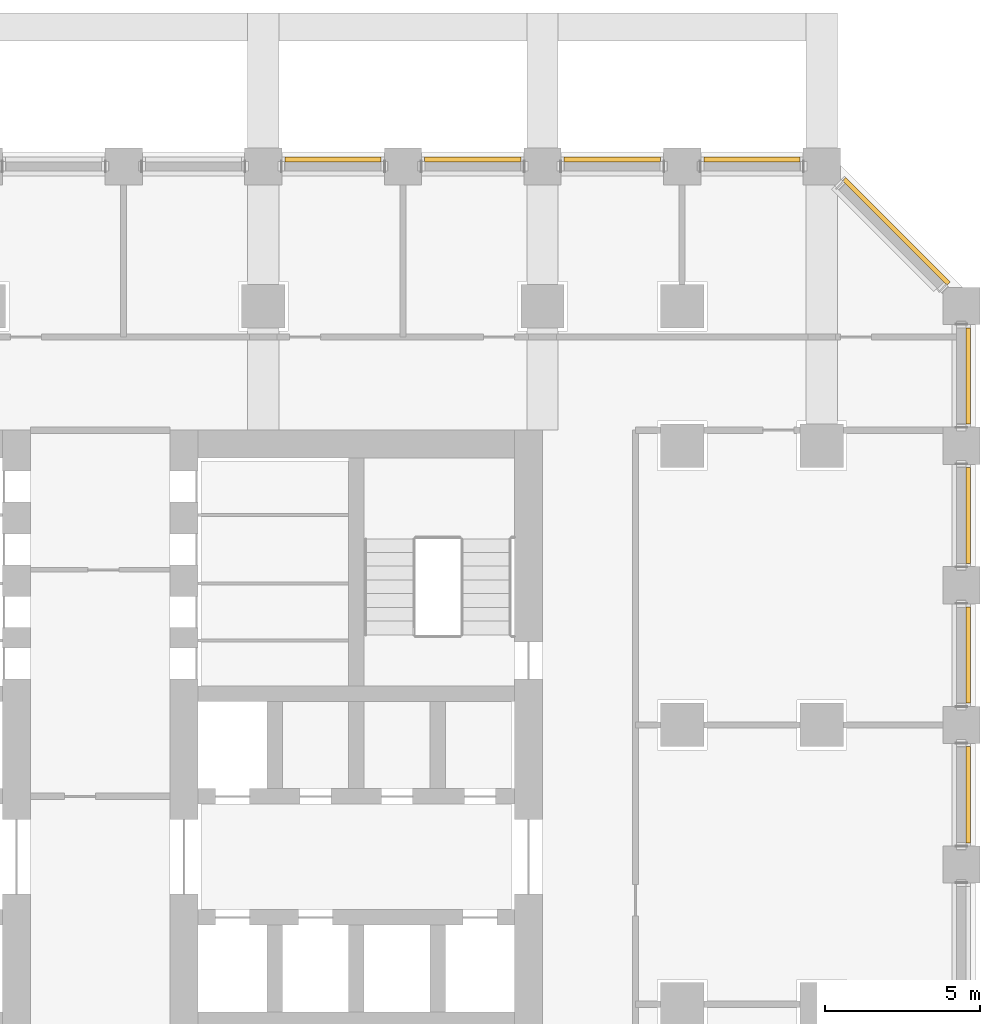
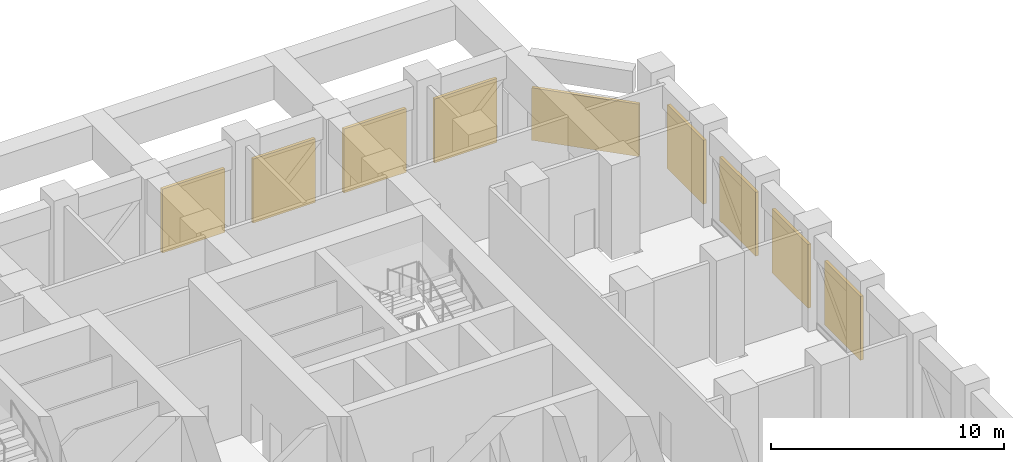
# One storey, part 19 of 20: 9 shading devices.
"""IFC4 building model written with IfcOpenShell, lengths in metres."""

from ifc_helpers import new_model, si_unit, direction, frame, origin, origin_2d, place, context, subcontext, project, spatial, rectangle, extrude, material, layer, layer_set, type_object, element, save


model = new_model("IFC4")

# Units and contexts
model_context = context("Model", 3, precision=1e-05, world=origin(), true_north=direction((0.0, 1.0)))
body_context = subcontext(model_context, "Body", "Model", "MODEL_VIEW")
ifc_project = project(units=[si_unit("LENGTHUNIT", "METRE"), si_unit("AREAUNIT", "SQUARE_METRE"), si_unit("VOLUMEUNIT", "CUBIC_METRE"), si_unit("PLANEANGLEUNIT", "RADIAN"), si_unit("MASSUNIT", "GRAM", prefix="KILO")], contexts=[model_context])

# Site, building, storey
site_placement = place(None, origin())
site = spatial("IfcSite", under=ifc_project, at=site_placement, CompositionType="ELEMENT")
building_placement = place(site_placement, origin())
building = spatial("IfcBuilding", under=site, at=building_placement, Name="Corbel Stack Research Tower", CompositionType="ELEMENT")
storey_placement = place(building_placement, frame((0.0, 0.0, 76.60009765625)))
storey = spatial("IfcBuildingStorey", under=building, at=storey_placement, Name="L17", CompositionType="ELEMENT", Elevation=76.60009765625)

# Shading devices
ifc_material = material(Name="Aluminium louvre", Category="aluminium")
ifc_layer = layer(ifc_material, 0.14990234375)
ifc_layer_set = layer_set([ifc_layer], Name="Aluminium louvre")
shading_device_type = type_object("IfcShadingDeviceType", Name="Plant louvre 150", PredefinedType="USERDEFINED", material=ifc_layer_set)
for number, where, z_axis, x_axis, name in (
    (1, (31.72509765625, 6.75, 0.199951171875), (0.0, 0.0, 1.0), (0.0, 1.0, 0.0), "Plant louvre L17 E06"),
    (2, (31.72509765625, 11.25, 0.199951171875), (0.0, 0.0, 1.0), (0.0, 1.0, 0.0), "Plant louvre L17 E07"),
    (3, (31.72509765625, 15.75, 0.199951171875), (0.0, 0.0, 1.0), (0.0, 1.0, 0.0), "Plant louvre L17 E08"),
    (4, (31.72509765625, 20.25, 0.199951171875), (0.0, 0.0, 1.0), (0.0, 1.0, 0.0), "Plant louvre L17 E09"),
):
    element("IfcShadingDevice", number, at=place(storey_placement, frame(where, z_axis=z_axis, x_axis=x_axis)), inside=storey, type_object=shading_device_type, Name=name, ObjectType="LOUVRE", PredefinedType="USERDEFINED", context=body_context, shape_type="SweptSolid", body=[
        extrude(rectangle(XDim=3.10009765625, YDim=0.14990234375, at=origin_2d()), origin(), (0.0, 0.0, 1.0), 3.35009765625),
    ])
shading_device_placement = place(storey_placement, frame((29.4091796875, 24.9091796875, 0.199951171875), z_axis=(0.0, 0.0, 1.0), x_axis=(-0.707106781187, 0.707106781187, 0.0)))
element("IfcShadingDevice", 5, at=shading_device_placement, inside=storey, type_object=shading_device_type, Name="Plant louvre L17 NE01", ObjectType="LOUVRE", PredefinedType="USERDEFINED", context=body_context, shape_type="SweptSolid", body=[
    extrude(rectangle(XDim=4.766845703125, YDim=0.14990234375, at=origin_2d()), origin(), (0.0, 0.0, 1.0), 2.75),
])
for number, where, z_axis, x_axis, name in (
    (6, (24.75, 27.22509765625, 0.199951171875), (0.0, 0.0, 1.0), (-1.0, 0.0, 0.0), "Plant louvre L17 N01"),
    (7, (20.25, 27.22509765625, 0.199951171875), (0.0, 0.0, 1.0), (-1.0, 0.0, 0.0), "Plant louvre L17 N02"),
    (8, (15.75, 27.22509765625, 0.199951171875), (0.0, 0.0, 1.0), (-1.0, 0.0, 0.0), "Plant louvre L17 N03"),
    (9, (11.25, 27.22509765625, 0.199951171875), (0.0, 0.0, 1.0), (-1.0, 0.0, 0.0), "Plant louvre L17 N04"),
):
    element("IfcShadingDevice", number, at=place(storey_placement, frame(where, z_axis=z_axis, x_axis=x_axis)), inside=storey, type_object=shading_device_type, Name=name, ObjectType="LOUVRE", PredefinedType="USERDEFINED", context=body_context, shape_type="SweptSolid", body=[
        extrude(rectangle(XDim=3.10009765625, YDim=0.14990234375, at=origin_2d()), origin(), (0.0, 0.0, 1.0), 3.35009765625),
    ])

save(model, "model.ifc")
